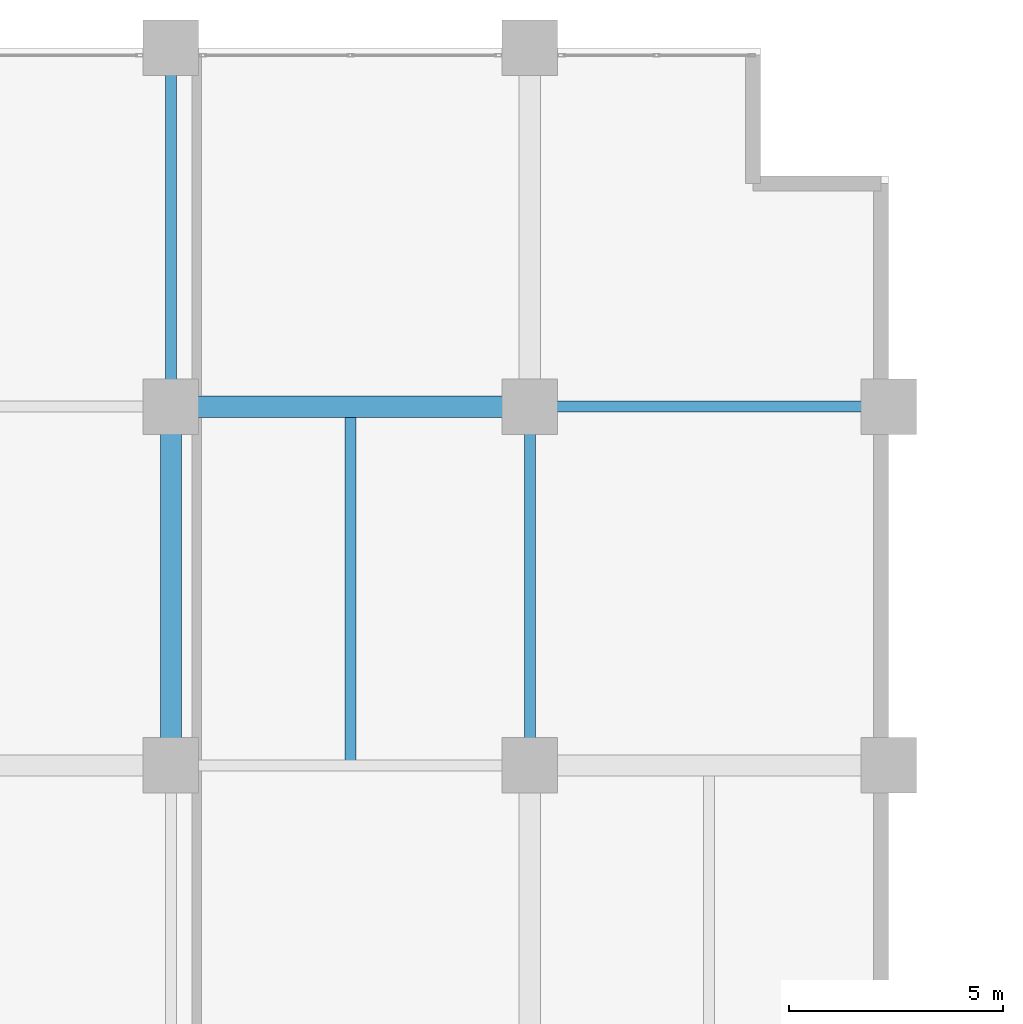
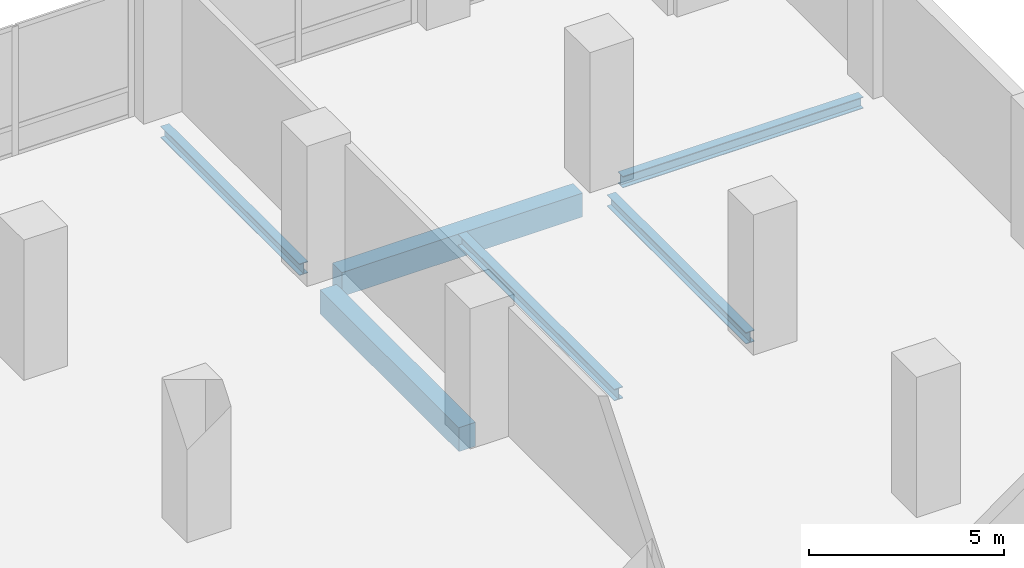
# One storey, part 9 of 24: 6 beams.
"""IFC4 building model written with IfcOpenShell, lengths in metres."""

import ifcopenshell
import ifcopenshell.guid

model = None  # the IFC model being written
_history = None  # IfcOwnerHistory: only IFC2X3 demands one
_inside = {}  # id of a spatial element -> (the spatial element, [elements in it])
_under = {}  # id of a project, library or spatial element -> (it, [spatial elements below it])
_declared = {}  # id of a project -> (the project, [libraries it declares])
_typed = {}  # id of a type object -> (the type object, [elements of that type])
_made_of = {}  # id of a material, layer set ... -> (it, [elements and type objects made of it])


def new_model(schema):
    """Start an empty IFC model of exactly this schema.

    Asked for "IFC4X3", IfcOpenShell would pick the latest addendum, in which some entities
    have other attributes; the version numbers below select the first issue.
    IFC2X3 requires an IfcOwnerHistory on every rooted entity: one is made here for all.
    """
    global model, _history
    if schema == "IFC4X3":
        model = ifcopenshell.file(schema_version=(4, 3, 0, 0))
    else:
        model = ifcopenshell.file(schema=schema)
    _inside.clear()
    _under.clear()
    _declared.clear()
    _typed.clear()
    _made_of.clear()
    _history = None
    if model.schema == "IFC2X3":
        org = make("IfcOrganization", Name="unknown")
        user = make(
            "IfcPersonAndOrganization",
            ThePerson=make("IfcPerson", FamilyName="unknown"),
            TheOrganization=org,
        )
        app = make(
            "IfcApplication",
            ApplicationDeveloper=org,
            Version="unknown",
            ApplicationFullName="unknown",
            ApplicationIdentifier="unknown",
        )
        _history = make(
            "IfcOwnerHistory",
            OwningUser=user,
            OwningApplication=app,
            ChangeAction="ADDED",
            CreationDate=0,
        )
    return model


def make(cls, **values):
    """One entity of the class cls with the attributes given. An attribute that is None is left unset."""
    return model.create_entity(
        cls, **{name: value for name, value in values.items() if value is not None}
    )


def rooted(cls, **values):
    """An entity with a GlobalId (a new one), such as an element, a storey or a relation."""
    return make(cls, GlobalId=ifcopenshell.guid.new(), OwnerHistory=_history, **values)


def si_unit(unit_type, name, prefix=None):
    """IfcSIUnit, for example si_unit("LENGTHUNIT", "METRE", prefix="MILLI")."""
    return make("IfcSIUnit", UnitType=unit_type, Prefix=prefix, Name=name)


def assignment(units):
    """IfcUnitAssignment: the units of a project."""
    return None if units is None else make("IfcUnitAssignment", Units=units)


def point(xyz):
    """IfcCartesianPoint."""
    return None if xyz is None else make("IfcCartesianPoint", Coordinates=xyz)


def direction(xyz):
    """IfcDirection."""
    return None if xyz is None else make("IfcDirection", DirectionRatios=xyz)


def frame(location, z_axis=None, x_axis=None):
    """IfcAxis2Placement3D, a coordinate frame: its origin and axes. An axis left out is left unset."""
    return make(
        "IfcAxis2Placement3D",
        Location=point(location),
        Axis=direction(z_axis),
        RefDirection=direction(x_axis),
    )


def frame_2d(location, x_axis=None):
    """IfcAxis2Placement2D, a coordinate frame in the plane: its origin and x axis."""
    return make(
        "IfcAxis2Placement2D", Location=point(location), RefDirection=direction(x_axis)
    )


def origin():
    """The frame at (0, 0, 0) with its axes left unset."""
    return frame((0.0, 0.0, 0.0))


def origin_2d():
    """The frame at (0, 0) in the plane with its x axis left unset."""
    return frame_2d((0.0, 0.0))


def place(relative_to, where):
    """IfcLocalPlacement: puts the frame where relative to a parent placement (None: the world)."""
    return make(
        "IfcLocalPlacement", PlacementRelTo=relative_to, RelativePlacement=where
    )


def context(
    kind, dimensions, precision=None, world=None, true_north=None, identifier=None
):
    """IfcGeometricRepresentationContext, for example the 3D "Model" context."""
    return make(
        "IfcGeometricRepresentationContext",
        ContextIdentifier=identifier,
        ContextType=kind,
        CoordinateSpaceDimension=dimensions,
        Precision=precision,
        WorldCoordinateSystem=world,
        TrueNorth=true_north,
    )


def subcontext(parent, identifier, kind, view, scale=None):
    """IfcGeometricRepresentationSubContext, for example "Body" below "Model"."""
    return make(
        "IfcGeometricRepresentationSubContext",
        ContextIdentifier=identifier,
        ContextType=kind,
        ParentContext=parent,
        TargetScale=scale,
        TargetView=view,
    )


def project(units=None, contexts=None):
    """IfcProject with its units and contexts."""
    return rooted(
        "IfcProject",
        Name="project",
        RepresentationContexts=contexts,
        UnitsInContext=assignment(units),
    )


def spatial(cls, under=None, at=None, **own):
    """A site, building, storey or space (cls), placed at a placement, below another one or the project."""
    s = rooted(cls, ObjectPlacement=at, **own)
    if under is not None:
        _under.setdefault(under.id(), (under, []))[1].append(s)
    return s


def profile(cls, at=None, kind="AREA", **sizes):
    """A parametric profile (cls). Its sizes go by their IFC names, for example OverallWidth=200.0."""
    return make(cls, ProfileType=kind, Position=at, **sizes)


def rectangle(**sizes):
    """IfcRectangleProfileDef."""
    return profile("IfcRectangleProfileDef", **sizes)


def i_section(**sizes):
    """IfcIShapeProfileDef."""
    return profile("IfcIShapeProfileDef", **sizes)


def extrude(swept, where, along, depth):
    """IfcExtrudedAreaSolid: the profile swept, set in the frame where, extruded along a direction by depth."""
    return make(
        "IfcExtrudedAreaSolid",
        SweptArea=swept,
        Position=where,
        ExtrudedDirection=direction(along),
        Depth=depth,
    )


def shape(context_of_items, identifier, shape_type, items):
    """IfcShapeRepresentation: the items that make up one representation, for example the "Body"."""
    return make(
        "IfcShapeRepresentation",
        ContextOfItems=context_of_items,
        RepresentationIdentifier=identifier,
        RepresentationType=shape_type,
        Items=items,
    )


def material(Name=None, Category=None):
    """IfcMaterial."""
    return make("IfcMaterial", Name=Name, Category=Category)


def material_profile(
    of_material, cross_section, Name=None, Category=None, Priority=None
):
    """IfcMaterialProfile: a cross section and its material."""
    return make(
        "IfcMaterialProfile",
        Name=Name,
        Material=of_material,
        Profile=cross_section,
        Priority=Priority,
        Category=Category,
    )


def profile_set(profiles, Name=None, composite=None):
    """IfcMaterialProfileSet."""
    return make(
        "IfcMaterialProfileSet",
        Name=Name,
        MaterialProfiles=profiles,
        CompositeProfile=composite,
    )


def made_of(thing, what):
    """Note that an element or type object is made of a material, layer set ...; save() writes the relation."""
    if what is not None:
        _made_of.setdefault(what.id(), (what, []))[1].append(thing)
    return thing


def type_object(cls, material=None, **own):
    """A type object (cls), such as IfcWallType, which elements share."""
    return made_of(rooted(cls, **own), material)


def element(
    cls,
    number,
    at=None,
    inside=None,
    cuts=None,
    type_object=None,
    material=None,
    context=None,
    identifier="Body",
    shape_type=None,
    held_by="IfcProductDefinitionShape",
    body=None,
    shapes=None,
    **own,
):
    """One element of the class cls, such as IfcWall. Its Tag is "e" and its number.

    at: its placement. inside: the storey or other place that contains it. cuts: it is an
    opening in that element (IfcRelVoidsElement). A single representation is given by context,
    identifier, shape_type and body (its items); several are given by shapes. held_by: the class
    of the entity that holds the representations. save() writes the other relations.
    """
    e = rooted(cls, Tag="e%d" % number, ObjectPlacement=at, **own)
    if body is not None:
        shapes = [shape(context, identifier, shape_type, body)]
    if shapes is not None:
        e.Representation = make(held_by, Representations=shapes)
    if inside is not None:
        _inside.setdefault(inside.id(), (inside, []))[1].append(e)
    if cuts is not None:
        rooted(
            "IfcRelVoidsElement", RelatingBuildingElement=cuts, RelatedOpeningElement=e
        )
    if type_object is not None:
        _typed.setdefault(type_object.id(), (type_object, []))[1].append(e)
    return made_of(e, material)


def aggregate(whole, parts):
    """IfcRelAggregates: a whole, such as a stair, and the parts it consists of."""
    return rooted("IfcRelAggregates", RelatingObject=whole, RelatedObjects=parts)


def save(model, path):
    """Write the relations noted so far, then the file.

    IfcRelAggregates (storeys below a building ...), IfcRelContainedInSpatialStructure (elements
    in a storey), IfcRelDefinesByType, IfcRelAssociatesMaterial and IfcRelDeclares: one each for
    every whole, place, type object, material and project.
    """
    for whole, parts in _under.values():
        aggregate(whole, parts)
    for where, things in _inside.values():
        rooted(
            "IfcRelContainedInSpatialStructure",
            RelatedElements=things,
            RelatingStructure=where,
        )
    for kind, things in _typed.values():
        rooted("IfcRelDefinesByType", RelatedObjects=things, RelatingType=kind)
    for what, things in _made_of.values():
        rooted("IfcRelAssociatesMaterial", RelatedObjects=things, RelatingMaterial=what)
    for by, libraries in _declared.values():
        rooted("IfcRelDeclares", RelatingContext=by, RelatedDefinitions=libraries)
    model.write(path)


model = new_model("IFC4")

# Units and contexts
model_context = context("Model", 3, precision=1e-05, world=origin(), true_north=direction((0.0, 1.0)))
body_context = subcontext(model_context, "Body", "Model", "MODEL_VIEW")
ifc_project = project(units=[si_unit("LENGTHUNIT", "METRE"), si_unit("AREAUNIT", "SQUARE_METRE"), si_unit("VOLUMEUNIT", "CUBIC_METRE"), si_unit("PLANEANGLEUNIT", "RADIAN"), si_unit("MASSUNIT", "GRAM", prefix="KILO")], contexts=[model_context])

# Site, building, storey
site_placement = place(None, origin())
site = spatial("IfcSite", under=ifc_project, at=site_placement, CompositionType="ELEMENT")
building_placement = place(site_placement, origin())
building = spatial("IfcBuilding", under=site, at=building_placement, Name="Koriwani Terraces Tower", CompositionType="ELEMENT")
storey_placement = place(building_placement, frame((0.0, 0.0, 89.60009765625)))
storey = spatial("IfcBuildingStorey", under=building, at=storey_placement, Name="L21", CompositionType="ELEMENT", Elevation=89.60009765625)

# Beams
ifc_material_1 = material(Name="Concrete C50/60", Category="concrete")
ifc_material_profile_1 = material_profile(ifc_material_1, rectangle(XDim=0.5, YDim=0.75, at=origin_2d()), Name="Concrete C50/60", Category="LoadBearing")
ifc_profile_set_1 = profile_set([ifc_material_profile_1], Name="Concrete C50/60")
beam_type_1 = type_object("IfcBeamType", Name="BEAM_RC_GRID_500X750", PredefinedType="BEAM", material=ifc_profile_set_1)
for number, where, z_axis, x_axis, name in (
    (1, (17.429931640625, 84.0, -0.625), (1.0, 0.0, 0.0), (0.0, 1.0, 0.0), "L21 Grid Beam K (16.8-25.2m)"),
    (2, (16.800048828125, 76.22998046875, -0.625), (0.0, 1.0, 0.0), (-1.0, 0.0, 0.0), "L21 Grid Beam 3 (75.6-84.0m)"),
):
    element("IfcBeam", number, at=place(storey_placement, frame(where, z_axis=z_axis, x_axis=x_axis)), inside=storey, type_object=beam_type_1, Name=name, PredefinedType="BEAM", context=body_context, shape_type="SweptSolid", body=[
        extrude(rectangle(XDim=0.5, YDim=0.75, at=origin_2d()), origin(), (0.0, 0.0, 1.0), 7.14013671875),
    ])
ifc_material_2 = material(Name="Steel ASTM A572 Grade 50", Category="steel")
ifc_material_profile_2 = material_profile(ifc_material_2, i_section(OverallWidth=0.257080078125, OverallDepth=0.363037109375, WebThickness=0.012939453125, FlangeThickness=0.021728515625, at=origin_2d()), Name="Steel ASTM A572 Grade 50", Category="LoadBearing")
ifc_profile_set_2 = profile_set([ifc_material_profile_2], Name="Steel ASTM A572 Grade 50")
beam_type_2 = type_object("IfcBeamType", Name="STEEL_BEAM_W360X122", PredefinedType="JOIST", material=ifc_profile_set_2)
beam_1_placement = place(storey_placement, frame((25.830078125, 84.0, -0.431640625), z_axis=(1.0, 0.0, 0.0), x_axis=(0.0, 1.0, 0.0)))
element("IfcBeam", 3, at=beam_1_placement, inside=storey, type_object=beam_type_2, Name="L21 Grid Beam K (25.2-33.6m)", PredefinedType="JOIST", context=body_context, shape_type="SweptSolid", body=[
    extrude(i_section(OverallWidth=0.257080078125, OverallDepth=0.363037109375, WebThickness=0.012939453125, FlangeThickness=0.021728515625, at=origin_2d()), origin(), (0.0, 0.0, 1.0), 7.139892578125),
])
for number, where, z_axis, x_axis, name in (
    (4, (16.800048828125, 84.6298828125, -0.431640625), (0.0, 1.0, 0.0), (-1.0, 0.0, 0.0), "L21 Grid Beam 3 (84.0-92.4m)"),
    (5, (25.199951171875, 76.22998046875, -0.431640625), (0.0, 1.0, 0.0), (-1.0, 0.0, 0.0), "L21 Grid Beam 4 (75.6-84.0m)"),
):
    element("IfcBeam", number, at=place(storey_placement, frame(where, z_axis=z_axis, x_axis=x_axis)), inside=storey, type_object=beam_type_2, Name=name, PredefinedType="JOIST", context=body_context, shape_type="SweptSolid", body=[
        extrude(i_section(OverallWidth=0.257080078125, OverallDepth=0.363037109375, WebThickness=0.012939453125, FlangeThickness=0.021728515625, at=origin_2d()), origin(), (0.0, 0.0, 1.0), 7.14013671875),
    ])
beam_2_placement = place(storey_placement, frame((21.0, 75.718505859375, -0.431640625), z_axis=(0.0, 1.0, 0.0), x_axis=(-1.0, 0.0, 0.0)))
element("IfcBeam", 6, at=beam_2_placement, inside=storey, type_object=beam_type_2, Name="L21 Secondary Steel Floor Joist X=21.0m", PredefinedType="JOIST", context=body_context, shape_type="SweptSolid", body=[
    extrude(i_section(OverallWidth=0.257080078125, OverallDepth=0.363037109375, WebThickness=0.012939453125, FlangeThickness=0.021728515625, at=origin_2d()), origin(), (0.0, 0.0, 1.0), 8.04150390625),
])

save(model, "model.ifc")
